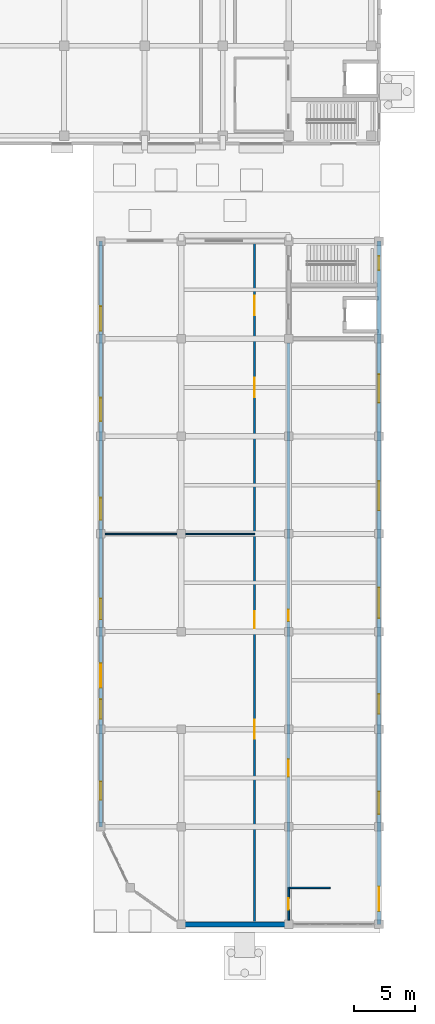
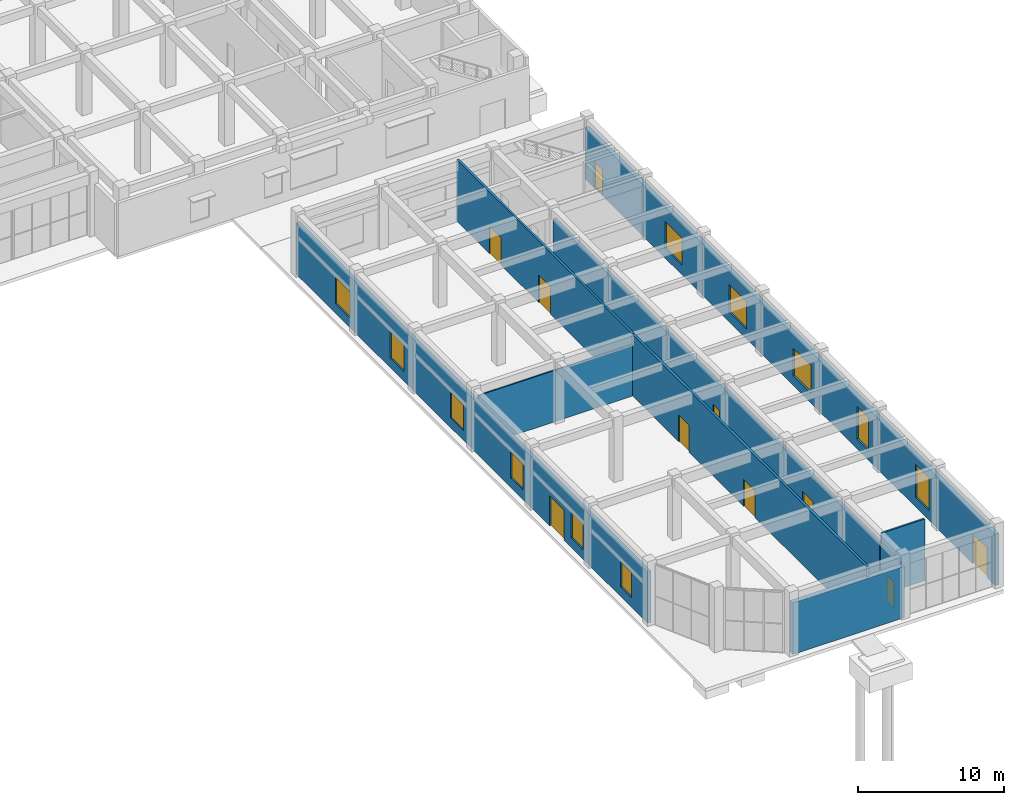
# One storey, part 34 of 46: 11 windows, 10 doors, 9 walls, 21 openings.
"""IFC4 building model written with IfcOpenShell, lengths in metres."""

from ifc_helpers import new_model, si_unit, direction, frame, frame_2d, origin, place, context, subcontext, project, spatial, rectangle, extrude, material, layer, layer_set, type_object, element, fill, save


model = new_model("IFC4")

# Units and contexts
model_context = context("Model", 3, precision=1e-05, world=origin(), true_north=direction((0.0, 1.0)))
body_context = subcontext(model_context, "Body", "Model", "MODEL_VIEW")
ifc_project = project(units=[si_unit("LENGTHUNIT", "METRE"), si_unit("AREAUNIT", "SQUARE_METRE"), si_unit("VOLUMEUNIT", "CUBIC_METRE"), si_unit("PLANEANGLEUNIT", "RADIAN"), si_unit("MASSUNIT", "GRAM", prefix="KILO")], contexts=[model_context])

# Site, building, storey
site_placement = place(None, origin())
site = spatial("IfcSite", under=ifc_project, at=site_placement, CompositionType="ELEMENT")
building_placement = place(site_placement, origin())
building = spatial("IfcBuilding", under=site, at=building_placement, Name="Cinchona Park Media Centre", CompositionType="ELEMENT")
storey_placement = place(building_placement, origin())
storey = spatial("IfcBuildingStorey", under=building, at=storey_placement, Name="L00", CompositionType="ELEMENT", Elevation=0.0)

# Wall, openings, doors
ifc_material_1 = material(Name="Acoustic Double-Stud Gypsum Partition", Category="gypsum")
ifc_layer_1 = layer(ifc_material_1, 0.239990234375)
ifc_layer_set_1 = layer_set([ifc_layer_1], Name="Acoustic Double-Stud Gypsum Partition")
wall_type_1 = type_object("IfcWallType", Name="WALL-W-AC240", PredefinedType="PARTITIONING", material=ifc_layer_set_1)
wall_1_placement = place(storey_placement, frame((164.60009765625, 55.248046875, 0.0), z_axis=(0.0, 0.0, 1.0), x_axis=(0.0, -1.0, 0.0)))
wall_1 = element("IfcWall", 1, at=wall_1_placement, inside=storey, type_object=wall_type_1, Name="Interior Wall W-AC240 L00", PredefinedType="PARTITIONING", context=body_context, shape_type="SweptSolid", body=[
    extrude(rectangle(XDim=44.64794921875, YDim=0.239990234375, at=frame_2d((22.323974609375, 0.0))), origin(), (0.0, 0.0, 1.0), 4.2900390625),
])
opening_1_placement = place(wall_1_placement, frame((21.84912109375, 0.0, 0.0)))
opening_1 = element("IfcOpeningElement", 2, at=opening_1_placement, cuts=wall_1, Name="Opening D213", PredefinedType="OPENING", context=body_context, shape_type="SweptSolid", body=[
    extrude(rectangle(XDim=0.949951171875, YDim=2.10009765625, at=frame_2d((0.47509765625, 1.050048828125))), frame((0.0, 0.1298828125, 0.0), z_axis=(0.0, -1.0, 0.0), x_axis=(1.0, 0.0, 0.0)), (0.0, 0.0, 1.0), 0.260009765625),
])
opening_2_placement = place(wall_1_placement, frame((34.125, 0.0, 0.0)))
opening_2 = element("IfcOpeningElement", 3, at=opening_2_placement, cuts=wall_1, Name="Opening D214", PredefinedType="OPENING", context=body_context, shape_type="SweptSolid", body=[
    extrude(rectangle(XDim=1.39990234375, YDim=2.25, at=frame_2d((0.699951171875, 1.125))), frame((0.0, 0.1298828125, 0.0), z_axis=(0.0, -1.0, 0.0), x_axis=(1.0, 0.0, 0.0)), (0.0, 0.0, 1.0), 0.260009765625),
])
ifc_material_2 = material(Name="Acoustic Double-Seal Steel Door", Category="steel")
door_type_1 = type_object("IfcDoorType", Name="DOOR-DT-AC", OperationType="NOTDEFINED", PredefinedType="DOOR", material=ifc_material_2)
door_1_placement = place(opening_2_placement, origin())
door_1 = element("IfcDoor", 4, at=door_1_placement, inside=storey, type_object=door_type_1, Name="Interior Door D214", OperationType="SINGLE_SWING_RIGHT", OverallHeight=2.25, OverallWidth=1.39990234375, PredefinedType="DOOR", context=body_context, shape_type="SweptSolid", body=[
    extrude(rectangle(XDim=1.39990234375, YDim=2.25, at=frame_2d((0.699951171875, 1.125))), frame((0.0, 0.02490234375, 0.0), z_axis=(0.0, -1.0, 0.0), x_axis=(1.0, 0.0, 0.0)), (0.0, 0.0, 1.0), 0.050048828125),
])
fill(opening_2, door_1)
ifc_material_3 = material(Name="Solid-Core Timber Acoustic Door", Category="wood")
door_type_2 = type_object("IfcDoorType", Name="DOOR-DT02", OperationType="NOTDEFINED", PredefinedType="DOOR", material=ifc_material_3)
door_2_placement = place(opening_1_placement, origin())
door_2 = element("IfcDoor", 5, at=door_2_placement, inside=storey, type_object=door_type_2, Name="Interior Door D213", OperationType="SINGLE_SWING_LEFT", OverallHeight=2.10009765625, OverallWidth=0.949951171875, PredefinedType="DOOR", context=body_context, shape_type="SweptSolid", body=[
    extrude(rectangle(XDim=0.949951171875, YDim=2.10009765625, at=frame_2d((0.47509765625, 1.050048828125))), frame((0.0, 0.02490234375, 0.0), z_axis=(0.0, -1.0, 0.0), x_axis=(1.0, 0.0, 0.0)), (0.0, 0.0, 1.0), 0.050048828125),
])
fill(opening_1, door_2)

# Wall
ifc_material_4 = material(Name="Precast concrete C40/50", Category="concrete")
ifc_layer_2 = layer(ifc_material_4, 0.3798828125)
ifc_layer_set_2 = layer_set([ifc_layer_2], Name="Precast concrete C40/50")
wall_type_2 = type_object("IfcWallType", Name="WALL-W-EX01", PredefinedType="SOLIDWALL", material=ifc_layer_set_2)
wall_2_placement = place(storey_placement, frame((164.60009765625, 7.60009765625, 0.0), z_axis=(0.0, 0.0, 1.0), x_axis=(-1.0, 0.0, 0.0)))
element("IfcWall", 6, at=wall_2_placement, inside=storey, type_object=wall_type_2, Name="Entrance Frame Wall W-EX01 V6 L00", PredefinedType="SOLIDWALL", context=body_context, shape_type="SweptSolid", body=[
    extrude(rectangle(XDim=8.800048828125, YDim=0.3798828125, at=frame_2d((4.39990234375, 0.0))), origin(), (0.0, 0.0, 1.0), 4.2900390625),
])

# Wall, openings, doors, windows
ifc_material_5 = material(Name="Precast concrete C40/50", Category="concrete")
ifc_layer_3 = layer(ifc_material_5, 0.320068359375)
ifc_layer_set_3 = layer_set([ifc_layer_3], Name="Precast concrete C40/50")
wall_type_3 = type_object("IfcWallType", Name="WALL-W-EX02", PredefinedType="SOLIDWALL", material=ifc_layer_set_3)
wall_3_placement = place(storey_placement, frame((172.0, 63.60009765625, 0.0), z_axis=(0.0, 0.0, 1.0), x_axis=(0.0, -1.0, 0.0)))
wall_3 = element("IfcWall", 7, at=wall_3_placement, inside=storey, type_object=wall_type_3, Name="Exterior Wall W-EX02 V6 L00", PredefinedType="SOLIDWALL", context=body_context, shape_type="SweptSolid", body=[
    extrude(rectangle(XDim=56.0, YDim=0.320068359375, at=frame_2d((28.0, 0.0))), origin(), (0.0, 0.0, 1.0), 4.2900390625),
])
opening_3_placement = place(wall_3_placement, frame((1.22509765625, 0.0, 0.0)))
opening_3 = element("IfcOpeningElement", 8, at=opening_3_placement, cuts=wall_3, Name="Opening D007", PredefinedType="OPENING", context=body_context, shape_type="SweptSolid", body=[
    extrude(rectangle(XDim=1.14990234375, YDim=2.199951171875, at=frame_2d((0.574951171875, 1.10009765625))), frame((0.0, 0.169921875, 0.0), z_axis=(0.0, -1.0, 0.0), x_axis=(1.0, 0.0, 0.0)), (0.0, 0.0, 1.0), 0.340087890625),
])
opening_4_placement = place(wall_3_placement, frame((52.89990234375, 0.0, 0.0)))
opening_4 = element("IfcOpeningElement", 9, at=opening_4_placement, cuts=wall_3, Name="Opening D016", PredefinedType="OPENING", context=body_context, shape_type="SweptSolid", body=[
    extrude(rectangle(XDim=2.0, YDim=2.5, at=frame_2d((1.0, 1.25))), frame((0.0, 0.169921875, 0.0), z_axis=(0.0, -1.0, 0.0), x_axis=(1.0, 0.0, 0.0)), (0.0, 0.0, 1.0), 0.340087890625),
])
opening_5_placement = place(wall_3_placement, frame((10.93310546875, 0.0, 0.800048828125)))
opening_5 = element("IfcOpeningElement", 10, at=opening_5_placement, cuts=wall_3, Name="Opening WN10", PredefinedType="OPENING", context=body_context, shape_type="SweptSolid", body=[
    extrude(rectangle(XDim=2.300048828125, YDim=2.25, at=frame_2d((1.14990234375, 1.125))), frame((0.0, 0.169921875, 0.0), z_axis=(0.0, -1.0, 0.0), x_axis=(1.0, 0.0, 0.0)), (0.0, 0.0, 1.0), 0.340087890625),
])
opening_6_placement = place(wall_3_placement, frame((19.6669921875, 0.0, 0.800048828125)))
opening_6 = element("IfcOpeningElement", 11, at=opening_6_placement, cuts=wall_3, Name="Opening WN11", PredefinedType="OPENING", context=body_context, shape_type="SweptSolid", body=[
    extrude(rectangle(XDim=2.39990234375, YDim=2.300048828125, at=frame_2d((1.199951171875, 1.14990234375))), frame((0.0, 0.169921875, 0.0), z_axis=(0.0, -1.0, 0.0), x_axis=(1.0, 0.0, 0.0)), (0.0, 0.0, 1.0), 0.340087890625),
])
opening_7_placement = place(wall_3_placement, frame((28.39990234375, 0.0, 0.800048828125)))
opening_7 = element("IfcOpeningElement", 12, at=opening_7_placement, cuts=wall_3, Name="Opening WN12", PredefinedType="OPENING", context=body_context, shape_type="SweptSolid", body=[
    extrude(rectangle(XDim=2.5, YDim=2.300048828125, at=frame_2d((1.25, 1.14990234375))), frame((0.0, 0.169921875, 0.0), z_axis=(0.0, -1.0, 0.0), x_axis=(1.0, 0.0, 0.0)), (0.0, 0.0, 1.0), 0.340087890625),
])
opening_8_placement = place(wall_3_placement, frame((37.133056640625, 0.0, 0.800048828125)))
opening_8 = element("IfcOpeningElement", 13, at=opening_8_placement, cuts=wall_3, Name="Opening WN37", PredefinedType="OPENING", context=body_context, shape_type="SweptSolid", body=[
    extrude(rectangle(XDim=1.60009765625, YDim=2.75, at=frame_2d((0.800048828125, 1.375))), frame((0.0, 0.169921875, 0.0), z_axis=(0.0, -1.0, 0.0), x_axis=(1.0, 0.0, 0.0)), (0.0, 0.0, 1.0), 0.340087890625),
])
opening_9_placement = place(wall_3_placement, frame((45.116943359375, 0.0, 0.800048828125)))
opening_9 = element("IfcOpeningElement", 14, at=opening_9_placement, cuts=wall_3, Name="Opening WN38", PredefinedType="OPENING", context=body_context, shape_type="SweptSolid", body=[
    extrude(rectangle(XDim=1.85009765625, YDim=2.75, at=frame_2d((0.925048828125, 1.375))), frame((0.0, 0.169921875, 0.0), z_axis=(0.0, -1.0, 0.0), x_axis=(1.0, 0.0, 0.0)), (0.0, 0.0, 1.0), 0.340087890625),
])
ifc_material_6 = material(Name="Insulated Steel and Laminated Glass Door", Category="steel")
door_type_3 = type_object("IfcDoorType", Name="DOOR-DT-EX2", OperationType="NOTDEFINED", PredefinedType="DOOR", material=ifc_material_6)
door_3_placement = place(opening_4_placement, origin())
door_3 = element("IfcDoor", 15, at=door_3_placement, inside=storey, type_object=door_type_3, Name="Exterior Door D016", OperationType="DOUBLE_SWING_LEFT", OverallHeight=2.5, OverallWidth=2.0, PredefinedType="DOOR", context=body_context, shape_type="SweptSolid", body=[
    extrude(rectangle(XDim=2.0, YDim=2.5, at=frame_2d((1.0, 1.25))), frame((0.0, 0.02490234375, 0.0), z_axis=(0.0, -1.0, 0.0), x_axis=(1.0, 0.0, 0.0)), (0.0, 0.0, 1.0), 0.050048828125),
])
fill(opening_4, door_3)
ifc_material_7 = material(Name="Insulated Steel and Laminated Glass Door", Category="steel")
door_type_4 = type_object("IfcDoorType", Name="DOOR-DT-EX3", OperationType="NOTDEFINED", PredefinedType="DOOR", material=ifc_material_7)
door_4_placement = place(opening_3_placement, origin())
door_4 = element("IfcDoor", 16, at=door_4_placement, inside=storey, type_object=door_type_4, Name="Exterior Door D007", OperationType="SINGLE_SWING_LEFT", OverallHeight=2.199951171875, OverallWidth=1.14990234375, PredefinedType="DOOR", context=body_context, shape_type="SweptSolid", body=[
    extrude(rectangle(XDim=1.14990234375, YDim=2.199951171875, at=frame_2d((0.574951171875, 1.10009765625))), frame((0.0, 0.02490234375, 0.0), z_axis=(0.0, -1.0, 0.0), x_axis=(1.0, 0.0, 0.0)), (0.0, 0.0, 1.0), 0.050048828125),
])
fill(opening_3, door_4)
ifc_material_8 = material(Name="Thermally Broken Aluminium Solar-Control Window", Category="aluminium")
window_type_1 = type_object("IfcWindowType", Name="WIN-WN10", PartitioningType="SINGLE_PANEL", PredefinedType="WINDOW", material=ifc_material_8)
window_1_placement = place(opening_5_placement, origin())
window_1 = element("IfcWindow", 17, at=window_1_placement, inside=storey, type_object=window_type_1, Name="Window WN10 L00", OverallHeight=2.25, OverallWidth=2.300048828125, PartitioningType="SINGLE_PANEL", PredefinedType="WINDOW", context=body_context, shape_type="SweptSolid", body=[
    extrude(rectangle(XDim=2.300048828125, YDim=2.25, at=frame_2d((1.14990234375, 1.125))), frame((0.0, 0.030029296875, 0.0), z_axis=(0.0, -1.0, 0.0), x_axis=(1.0, 0.0, 0.0)), (0.0, 0.0, 1.0), 0.06005859375),
])
fill(opening_5, window_1)
ifc_material_9 = material(Name="Thermally Broken Aluminium Solar-Control Window", Category="aluminium")
window_type_2 = type_object("IfcWindowType", Name="WIN-WN11", PartitioningType="SINGLE_PANEL", PredefinedType="WINDOW", material=ifc_material_9)
window_2_placement = place(opening_6_placement, origin())
window_2 = element("IfcWindow", 18, at=window_2_placement, inside=storey, type_object=window_type_2, Name="Window WN11 L00", OverallHeight=2.300048828125, OverallWidth=2.39990234375, PartitioningType="SINGLE_PANEL", PredefinedType="WINDOW", context=body_context, shape_type="SweptSolid", body=[
    extrude(rectangle(XDim=2.39990234375, YDim=2.300048828125, at=frame_2d((1.199951171875, 1.14990234375))), frame((0.0, 0.030029296875, 0.0), z_axis=(0.0, -1.0, 0.0), x_axis=(1.0, 0.0, 0.0)), (0.0, 0.0, 1.0), 0.06005859375),
])
fill(opening_6, window_2)
ifc_material_10 = material(Name="Thermally Broken Aluminium Solar-Control Window", Category="aluminium")
window_type_3 = type_object("IfcWindowType", Name="WIN-WN12", PartitioningType="SINGLE_PANEL", PredefinedType="WINDOW", material=ifc_material_10)
window_3_placement = place(opening_7_placement, origin())
window_3 = element("IfcWindow", 19, at=window_3_placement, inside=storey, type_object=window_type_3, Name="Window WN12 L00", OverallHeight=2.300048828125, OverallWidth=2.5, PartitioningType="SINGLE_PANEL", PredefinedType="WINDOW", context=body_context, shape_type="SweptSolid", body=[
    extrude(rectangle(XDim=2.5, YDim=2.300048828125, at=frame_2d((1.25, 1.14990234375))), frame((0.0, 0.030029296875, 0.0), z_axis=(0.0, -1.0, 0.0), x_axis=(1.0, 0.0, 0.0)), (0.0, 0.0, 1.0), 0.06005859375),
])
fill(opening_7, window_3)
ifc_material_11 = material(Name="Thermally Broken Aluminium Solar-Control Window", Category="aluminium")
window_type_4 = type_object("IfcWindowType", Name="WIN-WN37", PartitioningType="SINGLE_PANEL", PredefinedType="WINDOW", material=ifc_material_11)
window_4_placement = place(opening_8_placement, origin())
window_4 = element("IfcWindow", 20, at=window_4_placement, inside=storey, type_object=window_type_4, Name="Window WN37 L00", OverallHeight=2.75, OverallWidth=1.60009765625, PartitioningType="SINGLE_PANEL", PredefinedType="WINDOW", context=body_context, shape_type="SweptSolid", body=[
    extrude(rectangle(XDim=1.60009765625, YDim=2.75, at=frame_2d((0.800048828125, 1.375))), frame((0.0, 0.030029296875, 0.0), z_axis=(0.0, -1.0, 0.0), x_axis=(1.0, 0.0, 0.0)), (0.0, 0.0, 1.0), 0.06005859375),
])
fill(opening_8, window_4)
ifc_material_12 = material(Name="Thermally Broken Aluminium Solar-Control Window", Category="aluminium")
window_type_5 = type_object("IfcWindowType", Name="WIN-WN38", PartitioningType="SINGLE_PANEL", PredefinedType="WINDOW", material=ifc_material_12)
window_5_placement = place(opening_9_placement, origin())
window_5 = element("IfcWindow", 21, at=window_5_placement, inside=storey, type_object=window_type_5, Name="Window WN38 L00", OverallHeight=2.75, OverallWidth=1.85009765625, PartitioningType="SINGLE_PANEL", PredefinedType="WINDOW", context=body_context, shape_type="SweptSolid", body=[
    extrude(rectangle(XDim=1.85009765625, YDim=2.75, at=frame_2d((0.925048828125, 1.375))), frame((0.0, 0.030029296875, 0.0), z_axis=(0.0, -1.0, 0.0), x_axis=(1.0, 0.0, 0.0)), (0.0, 0.0, 1.0), 0.06005859375),
])
fill(opening_9, window_5)

# Wall, openings, door, windows
ifc_material_13 = material(Name="Precast concrete C40/50", Category="concrete")
ifc_layer_4 = layer(ifc_material_13, 0.27490234375)
ifc_layer_set_4 = layer_set([ifc_layer_4], Name="Precast concrete C40/50")
wall_type_4 = type_object("IfcWallType", Name="WALL-W-EX03", PredefinedType="SOLIDWALL", material=ifc_layer_set_4)
wall_4_placement = place(storey_placement, frame((149.199951171875, 15.60009765625, 0.0), z_axis=(0.0, 0.0, 1.0), x_axis=(0.0, 1.0, 0.0)))
wall_4 = element("IfcWall", 22, at=wall_4_placement, inside=storey, type_object=wall_type_4, Name="Exterior Wall W-EX03 V6 L00", PredefinedType="SOLIDWALL", context=body_context, shape_type="SweptSolid", body=[
    extrude(rectangle(XDim=48.0, YDim=0.27490234375, at=frame_2d((24.0, 0.0))), origin(), (0.0, 0.0, 1.0), 4.2900390625),
])
opening_10_placement = place(wall_4_placement, frame((11.39990234375, 0.0, 0.0)))
opening_10 = element("IfcOpeningElement", 23, at=opening_10_placement, cuts=wall_4, Name="Opening D017", PredefinedType="OPENING", context=body_context, shape_type="SweptSolid", body=[
    extrude(rectangle(XDim=2.0, YDim=2.5, at=frame_2d((1.0, 1.25))), frame((0.0, 0.1474609375, 0.0), z_axis=(0.0, -1.0, 0.0), x_axis=(1.0, 0.0, 0.0)), (0.0, 0.0, 1.0), 0.294921875),
])
opening_11_placement = place(wall_4_placement, frame((2.199951171875, 0.0, 0.800048828125)))
opening_11 = element("IfcOpeningElement", 24, at=opening_11_placement, cuts=wall_4, Name="Opening WN02", PredefinedType="OPENING", context=body_context, shape_type="SweptSolid", body=[
    extrude(rectangle(XDim=1.5, YDim=2.10009765625, at=frame_2d((0.75, 1.050048828125))), frame((0.0, 0.1474609375, 0.0), z_axis=(0.0, -1.0, 0.0), x_axis=(1.0, 0.0, 0.0)), (0.0, 0.0, 1.0), 0.294921875),
])
opening_12_placement = place(wall_4_placement, frame((8.85009765625, 0.0, 0.800048828125)))
opening_12 = element("IfcOpeningElement", 25, at=opening_12_placement, cuts=wall_4, Name="Opening WN03", PredefinedType="OPENING", context=body_context, shape_type="SweptSolid", body=[
    extrude(rectangle(XDim=1.60009765625, YDim=2.10009765625, at=frame_2d((0.800048828125, 1.050048828125))), frame((0.0, 0.1474609375, 0.0), z_axis=(0.0, -1.0, 0.0), x_axis=(1.0, 0.0, 0.0)), (0.0, 0.0, 1.0), 0.294921875),
])
opening_13_placement = place(wall_4_placement, frame((17.0, 0.0, 0.800048828125)))
opening_13 = element("IfcOpeningElement", 26, at=opening_13_placement, cuts=wall_4, Name="Opening WN04", PredefinedType="OPENING", context=body_context, shape_type="SweptSolid", body=[
    extrude(rectangle(XDim=1.699951171875, YDim=2.14990234375, at=frame_2d((0.85009765625, 1.074951171875))), frame((0.0, 0.1474609375, 0.0), z_axis=(0.0, -1.0, 0.0), x_axis=(1.0, 0.0, 0.0)), (0.0, 0.0, 1.0), 0.294921875),
])
opening_14_placement = place(wall_4_placement, frame((25.14990234375, 0.0, 0.800048828125)))
opening_14 = element("IfcOpeningElement", 27, at=opening_14_placement, cuts=wall_4, Name="Opening WN05", PredefinedType="OPENING", context=body_context, shape_type="SweptSolid", body=[
    extrude(rectangle(XDim=1.800048828125, YDim=2.14990234375, at=frame_2d((0.89990234375, 1.074951171875))), frame((0.0, 0.1474609375, 0.0), z_axis=(0.0, -1.0, 0.0), x_axis=(1.0, 0.0, 0.0)), (0.0, 0.0, 1.0), 0.294921875),
])
opening_15_placement = place(wall_4_placement, frame((33.25, 0.0, 0.800048828125)))
opening_15 = element("IfcOpeningElement", 28, at=opening_15_placement, cuts=wall_4, Name="Opening WN06", PredefinedType="OPENING", context=body_context, shape_type="SweptSolid", body=[
    extrude(rectangle(XDim=1.89990234375, YDim=2.199951171875, at=frame_2d((0.949951171875, 1.10009765625))), frame((0.0, 0.1474609375, 0.0), z_axis=(0.0, -1.0, 0.0), x_axis=(1.0, 0.0, 0.0)), (0.0, 0.0, 1.0), 0.294921875),
])
opening_16_placement = place(wall_4_placement, frame((40.64990234375, 0.0, 0.800048828125)))
opening_16 = element("IfcOpeningElement", 29, at=opening_16_placement, cuts=wall_4, Name="Opening WN07", PredefinedType="OPENING", context=body_context, shape_type="SweptSolid", body=[
    extrude(rectangle(XDim=2.0, YDim=2.199951171875, at=frame_2d((1.0, 1.10009765625))), frame((0.0, 0.1474609375, 0.0), z_axis=(0.0, -1.0, 0.0), x_axis=(1.0, 0.0, 0.0)), (0.0, 0.0, 1.0), 0.294921875),
])
door_5_placement = place(opening_10_placement, origin())
door_5 = element("IfcDoor", 30, at=door_5_placement, inside=storey, type_object=door_type_3, Name="Exterior Door D017", OperationType="DOUBLE_SWING_LEFT", OverallHeight=2.5, OverallWidth=2.0, PredefinedType="DOOR", context=body_context, shape_type="SweptSolid", body=[
    extrude(rectangle(XDim=2.0, YDim=2.5, at=frame_2d((1.0, 1.25))), frame((0.0, 0.02490234375, 0.0), z_axis=(0.0, -1.0, 0.0), x_axis=(1.0, 0.0, 0.0)), (0.0, 0.0, 1.0), 0.050048828125),
])
fill(opening_10, door_5)
ifc_material_14 = material(Name="Thermally Broken Aluminium Solar-Control Window", Category="aluminium")
window_type_6 = type_object("IfcWindowType", Name="WIN-WN02", PartitioningType="SINGLE_PANEL", PredefinedType="WINDOW", material=ifc_material_14)
window_6_placement = place(opening_11_placement, origin())
window_6 = element("IfcWindow", 31, at=window_6_placement, inside=storey, type_object=window_type_6, Name="Window WN02 L00", OverallHeight=2.10009765625, OverallWidth=1.5, PartitioningType="SINGLE_PANEL", PredefinedType="WINDOW", context=body_context, shape_type="SweptSolid", body=[
    extrude(rectangle(XDim=1.5, YDim=2.10009765625, at=frame_2d((0.75, 1.050048828125))), frame((0.0, 0.030029296875, 0.0), z_axis=(0.0, -1.0, 0.0), x_axis=(1.0, 0.0, 0.0)), (0.0, 0.0, 1.0), 0.06005859375),
])
fill(opening_11, window_6)
ifc_material_15 = material(Name="Thermally Broken Aluminium Solar-Control Window", Category="aluminium")
window_type_7 = type_object("IfcWindowType", Name="WIN-WN03", PartitioningType="SINGLE_PANEL", PredefinedType="WINDOW", material=ifc_material_15)
window_7_placement = place(opening_12_placement, origin())
window_7 = element("IfcWindow", 32, at=window_7_placement, inside=storey, type_object=window_type_7, Name="Window WN03 L00", OverallHeight=2.10009765625, OverallWidth=1.60009765625, PartitioningType="SINGLE_PANEL", PredefinedType="WINDOW", context=body_context, shape_type="SweptSolid", body=[
    extrude(rectangle(XDim=1.60009765625, YDim=2.10009765625, at=frame_2d((0.800048828125, 1.050048828125))), frame((0.0, 0.030029296875, 0.0), z_axis=(0.0, -1.0, 0.0), x_axis=(1.0, 0.0, 0.0)), (0.0, 0.0, 1.0), 0.06005859375),
])
fill(opening_12, window_7)
ifc_material_16 = material(Name="Thermally Broken Aluminium Solar-Control Window", Category="aluminium")
window_type_8 = type_object("IfcWindowType", Name="WIN-WN04", PartitioningType="SINGLE_PANEL", PredefinedType="WINDOW", material=ifc_material_16)
window_8_placement = place(opening_13_placement, origin())
window_8 = element("IfcWindow", 33, at=window_8_placement, inside=storey, type_object=window_type_8, Name="Window WN04 L00", OverallHeight=2.14990234375, OverallWidth=1.699951171875, PartitioningType="SINGLE_PANEL", PredefinedType="WINDOW", context=body_context, shape_type="SweptSolid", body=[
    extrude(rectangle(XDim=1.699951171875, YDim=2.14990234375, at=frame_2d((0.85009765625, 1.074951171875))), frame((0.0, 0.030029296875, 0.0), z_axis=(0.0, -1.0, 0.0), x_axis=(1.0, 0.0, 0.0)), (0.0, 0.0, 1.0), 0.06005859375),
])
fill(opening_13, window_8)
ifc_material_17 = material(Name="Thermally Broken Aluminium Solar-Control Window", Category="aluminium")
window_type_9 = type_object("IfcWindowType", Name="WIN-WN05", PartitioningType="SINGLE_PANEL", PredefinedType="WINDOW", material=ifc_material_17)
window_9_placement = place(opening_14_placement, origin())
window_9 = element("IfcWindow", 34, at=window_9_placement, inside=storey, type_object=window_type_9, Name="Window WN05 L00", OverallHeight=2.14990234375, OverallWidth=1.800048828125, PartitioningType="SINGLE_PANEL", PredefinedType="WINDOW", context=body_context, shape_type="SweptSolid", body=[
    extrude(rectangle(XDim=1.800048828125, YDim=2.14990234375, at=frame_2d((0.89990234375, 1.074951171875))), frame((0.0, 0.030029296875, 0.0), z_axis=(0.0, -1.0, 0.0), x_axis=(1.0, 0.0, 0.0)), (0.0, 0.0, 1.0), 0.06005859375),
])
fill(opening_14, window_9)
ifc_material_18 = material(Name="Thermally Broken Aluminium Solar-Control Window", Category="aluminium")
window_type_10 = type_object("IfcWindowType", Name="WIN-WN06", PartitioningType="SINGLE_PANEL", PredefinedType="WINDOW", material=ifc_material_18)
window_10_placement = place(opening_15_placement, origin())
window_10 = element("IfcWindow", 35, at=window_10_placement, inside=storey, type_object=window_type_10, Name="Window WN06 L00", OverallHeight=2.199951171875, OverallWidth=1.89990234375, PartitioningType="SINGLE_PANEL", PredefinedType="WINDOW", context=body_context, shape_type="SweptSolid", body=[
    extrude(rectangle(XDim=1.89990234375, YDim=2.199951171875, at=frame_2d((0.949951171875, 1.10009765625))), frame((0.0, 0.030029296875, 0.0), z_axis=(0.0, -1.0, 0.0), x_axis=(1.0, 0.0, 0.0)), (0.0, 0.0, 1.0), 0.06005859375),
])
fill(opening_15, window_10)
ifc_material_19 = material(Name="Thermally Broken Aluminium Solar-Control Window", Category="aluminium")
window_type_11 = type_object("IfcWindowType", Name="WIN-WN07", PartitioningType="SINGLE_PANEL", PredefinedType="WINDOW", material=ifc_material_19)
window_11_placement = place(opening_16_placement, origin())
window_11 = element("IfcWindow", 36, at=window_11_placement, inside=storey, type_object=window_type_11, Name="Window WN07 L00", OverallHeight=2.199951171875, OverallWidth=2.0, PartitioningType="SINGLE_PANEL", PredefinedType="WINDOW", context=body_context, shape_type="SweptSolid", body=[
    extrude(rectangle(XDim=2.0, YDim=2.199951171875, at=frame_2d((1.0, 1.10009765625))), frame((0.0, 0.030029296875, 0.0), z_axis=(0.0, -1.0, 0.0), x_axis=(1.0, 0.0, 0.0)), (0.0, 0.0, 1.0), 0.06005859375),
])
fill(opening_16, window_11)

# Walls
ifc_material_20 = material(Name="Gypsum Metal-Stud Partition", Category="gypsum")
ifc_layer_5 = layer(ifc_material_20, 0.10009765625)
ifc_layer_set_5 = layer_set([ifc_layer_5], Name="Gypsum Metal-Stud Partition")
wall_type_5 = type_object("IfcWallType", Name="WALL-W-PT100", PredefinedType="PARTITIONING", material=ifc_layer_set_5)
wall_5_placement = place(storey_placement, frame((149.552001953125, 39.60009765625, 0.0), z_axis=(0.0, 0.0, 1.0), x_axis=(1.0, 0.0, 0.0)))
element("IfcWall", 37, at=wall_5_placement, inside=storey, type_object=wall_type_5, Name="Interior Wall W-PT100 L00", PredefinedType="PARTITIONING", context=body_context, shape_type="SweptSolid", body=[
    extrude(rectangle(XDim=12.248046875, YDim=0.10009765625, at=frame_2d((6.1240234375, 0.0))), origin(), (0.0, 0.0, 1.0), 4.2900390625),
])
ifc_material_21 = material(Name="Gypsum Metal-Stud Partition", Category="gypsum")
ifc_layer_6 = layer(ifc_material_21, 0.135009765625)
ifc_layer_set_6 = layer_set([ifc_layer_6], Name="Gypsum Metal-Stud Partition")
wall_type_6 = type_object("IfcWallType", Name="WALL-W-PT135", PredefinedType="PARTITIONING", material=ifc_layer_set_6)
wall_6_placement = place(storey_placement, frame((164.60009765625, 10.60009765625, 0.0), z_axis=(0.0, 0.0, 1.0), x_axis=(1.0, 0.0, 0.0)))
element("IfcWall", 38, at=wall_6_placement, inside=storey, type_object=wall_type_6, Name="Interior Wall W-PT135 L00", PredefinedType="PARTITIONING", context=body_context, shape_type="SweptSolid", body=[
    extrude(rectangle(XDim=3.39990234375, YDim=0.135009765625, at=frame_2d((1.699951171875, 0.0))), origin(), (0.0, 0.0, 1.0), 5.139892578125),
])

# Wall, opening, door
ifc_material_22 = material(Name="Fire-Rated Gypsum Stud Partition", Category="gypsum")
ifc_layer_7 = layer(ifc_material_22, 0.14990234375)
ifc_layer_set_7 = layer_set([ifc_layer_7], Name="Fire-Rated Gypsum Stud Partition")
wall_type_7 = type_object("IfcWallType", Name="WALL-W-PT150", PredefinedType="PARTITIONING", material=ifc_layer_set_7)
wall_7_placement = place(storey_placement, frame((164.60009765625, 10.60009765625, 0.0), z_axis=(0.0, 0.0, 1.0), x_axis=(0.0, -1.0, 0.0)))
wall_7 = element("IfcWall", 39, at=wall_7_placement, inside=storey, type_object=wall_type_7, Name="Interior Wall W-PT150 L00", PredefinedType="PARTITIONING", context=body_context, shape_type="SweptSolid", body=[
    extrude(rectangle(XDim=2.648193359375, YDim=0.14990234375, at=frame_2d((1.32421875, 0.0))), origin(), (0.0, 0.0, 1.0), 4.2900390625),
])
opening_17_placement = place(wall_7_placement, frame((0.864013671875, 0.0, 0.0)))
opening_17 = element("IfcOpeningElement", 40, at=opening_17_placement, cuts=wall_7, Name="Opening D212", PredefinedType="OPENING", context=body_context, shape_type="SweptSolid", body=[
    extrude(rectangle(XDim=0.919921875, YDim=2.10009765625, at=frame_2d((0.4599609375, 1.050048828125))), frame((0.0, 0.0849609375, 0.0), z_axis=(0.0, -1.0, 0.0), x_axis=(1.0, 0.0, 0.0)), (0.0, 0.0, 1.0), 0.169921875),
])
ifc_material_23 = material(Name="Solid-Core Timber Acoustic Door", Category="wood")
door_type_5 = type_object("IfcDoorType", Name="DOOR-DT01", OperationType="NOTDEFINED", PredefinedType="DOOR", material=ifc_material_23)
door_6_placement = place(opening_17_placement, origin())
door_6 = element("IfcDoor", 41, at=door_6_placement, inside=storey, type_object=door_type_5, Name="Interior Door D212", OperationType="SINGLE_SWING_RIGHT", OverallHeight=2.10009765625, OverallWidth=0.919921875, PredefinedType="DOOR", context=body_context, shape_type="SweptSolid", body=[
    extrude(rectangle(XDim=0.919921875, YDim=2.10009765625, at=frame_2d((0.4599609375, 1.050048828125))), frame((0.0, 0.02490234375, 0.0), z_axis=(0.0, -1.0, 0.0), x_axis=(1.0, 0.0, 0.0)), (0.0, 0.0, 1.0), 0.050048828125),
])
fill(opening_17, door_6)

# Wall, openings, doors
ifc_material_24 = material(Name="Fire-Rated Gypsum Stud Partition", Category="gypsum")
ifc_layer_8 = layer(ifc_material_24, 0.1650390625)
ifc_layer_set_8 = layer_set([ifc_layer_8], Name="Fire-Rated Gypsum Stud Partition")
wall_type_8 = type_object("IfcWallType", Name="WALL-W-PT165", PredefinedType="PARTITIONING", material=ifc_layer_set_8)
wall_8_placement = place(storey_placement, frame((161.800048828125, 39.60009765625, 0.0), z_axis=(0.0, 0.0, 1.0), x_axis=(0.0, 1.0, 0.0)))
wall_8 = element("IfcWall", 42, at=wall_8_placement, inside=storey, type_object=wall_type_8, Name="Interior Wall W-PT165 L00", PredefinedType="PARTITIONING", context=body_context, shape_type="SweptSolid", body=[
    extrude(rectangle(XDim=24.0, YDim=0.1650390625, at=frame_2d((12.0, 0.0))), origin(), (0.0, 0.0, 1.0), 5.139892578125),
])
opening_18_placement = place(wall_8_placement, frame((11.199951171875, 0.0, 0.0)))
opening_18 = element("IfcOpeningElement", 43, at=opening_18_placement, cuts=wall_8, Name="Opening D210", PredefinedType="OPENING", context=body_context, shape_type="SweptSolid", body=[
    extrude(rectangle(XDim=1.60009765625, YDim=2.300048828125, at=frame_2d((0.800048828125, 1.14990234375))), frame((0.0, 0.092529296875, 0.0), z_axis=(0.0, -1.0, 0.0), x_axis=(1.0, 0.0, 0.0)), (0.0, 0.0, 1.0), 0.18505859375),
])
opening_19_placement = place(wall_8_placement, frame((17.919921875, 0.0, 0.0)))
opening_19 = element("IfcOpeningElement", 44, at=opening_19_placement, cuts=wall_8, Name="Opening D211", PredefinedType="OPENING", context=body_context, shape_type="SweptSolid", body=[
    extrude(rectangle(XDim=1.60009765625, YDim=2.300048828125, at=frame_2d((0.800048828125, 1.14990234375))), frame((0.0, 0.092529296875, 0.0), z_axis=(0.0, -1.0, 0.0), x_axis=(1.0, 0.0, 0.0)), (0.0, 0.0, 1.0), 0.18505859375),
])
ifc_material_25 = material(Name="Solid-Core Timber Acoustic Door", Category="wood")
door_type_6 = type_object("IfcDoorType", Name="DOOR-DT17", OperationType="NOTDEFINED", PredefinedType="DOOR", material=ifc_material_25)
door_7_placement = place(opening_18_placement, origin())
door_7 = element("IfcDoor", 45, at=door_7_placement, inside=storey, type_object=door_type_6, Name="Interior Door D210", OperationType="SINGLE_SWING_RIGHT", OverallHeight=2.300048828125, OverallWidth=1.60009765625, PredefinedType="DOOR", context=body_context, shape_type="SweptSolid", body=[
    extrude(rectangle(XDim=1.60009765625, YDim=2.300048828125, at=frame_2d((0.800048828125, 1.14990234375))), frame((0.0, 0.02490234375, 0.0), z_axis=(0.0, -1.0, 0.0), x_axis=(1.0, 0.0, 0.0)), (0.0, 0.0, 1.0), 0.050048828125),
])
fill(opening_18, door_7)
door_8_placement = place(opening_19_placement, origin())
door_8 = element("IfcDoor", 46, at=door_8_placement, inside=storey, type_object=door_type_6, Name="Interior Door D211", OperationType="SINGLE_SWING_LEFT", OverallHeight=2.300048828125, OverallWidth=1.60009765625, PredefinedType="DOOR", context=body_context, shape_type="SweptSolid", body=[
    extrude(rectangle(XDim=1.60009765625, YDim=2.300048828125, at=frame_2d((0.800048828125, 1.14990234375))), frame((0.0, 0.02490234375, 0.0), z_axis=(0.0, -1.0, 0.0), x_axis=(1.0, 0.0, 0.0)), (0.0, 0.0, 1.0), 0.050048828125),
])
fill(opening_19, door_8)

ifc_material_26 = material(Name="Fire-Rated Gypsum Stud Partition", Category="gypsum")
ifc_layer_9 = layer(ifc_material_26, 0.18994140625)
ifc_layer_set_9 = layer_set([ifc_layer_9], Name="Fire-Rated Gypsum Stud Partition")
wall_type_9 = type_object("IfcWallType", Name="WALL-W-PT190", PredefinedType="PARTITIONING", material=ifc_layer_set_9)
wall_9_placement = place(storey_placement, frame((161.800048828125, 7.60009765625, 0.0), z_axis=(0.0, 0.0, 1.0), x_axis=(0.0, 1.0, 0.0)))
wall_9 = element("IfcWall", 47, at=wall_9_placement, inside=storey, type_object=wall_type_9, Name="Interior Wall W-PT190 L00", PredefinedType="PARTITIONING", context=body_context, shape_type="SweptSolid", body=[
    extrude(rectangle(XDim=32.0, YDim=0.18994140625, at=frame_2d((16.0, 0.0))), origin(), (0.0, 0.0, 1.0), 5.139892578125),
])
opening_20_placement = place(wall_9_placement, frame((15.22509765625, 0.0, 0.0)))
opening_20 = element("IfcOpeningElement", 48, at=opening_20_placement, cuts=wall_9, Name="Opening D208", PredefinedType="OPENING", context=body_context, shape_type="SweptSolid", body=[
    extrude(rectangle(XDim=1.550048828125, YDim=2.25, at=frame_2d((0.77490234375, 1.125))), frame((0.0, 0.10498046875, 0.0), z_axis=(0.0, -1.0, 0.0), x_axis=(1.0, 0.0, 0.0)), (0.0, 0.0, 1.0), 0.2099609375),
])
opening_21_placement = place(wall_9_placement, frame((24.260009765625, 0.0, 0.0)))
opening_21 = element("IfcOpeningElement", 49, at=opening_21_placement, cuts=wall_9, Name="Opening D209", PredefinedType="OPENING", context=body_context, shape_type="SweptSolid", body=[
    extrude(rectangle(XDim=1.39990234375, YDim=2.25, at=frame_2d((0.699951171875, 1.125))), frame((0.0, 0.10498046875, 0.0), z_axis=(0.0, -1.0, 0.0), x_axis=(1.0, 0.0, 0.0)), (0.0, 0.0, 1.0), 0.2099609375),
])
door_9_placement = place(opening_21_placement, origin())
door_9 = element("IfcDoor", 50, at=door_9_placement, inside=storey, type_object=door_type_1, Name="Interior Door D209", OperationType="SINGLE_SWING_LEFT", OverallHeight=2.25, OverallWidth=1.39990234375, PredefinedType="DOOR", context=body_context, shape_type="SweptSolid", body=[
    extrude(rectangle(XDim=1.39990234375, YDim=2.25, at=frame_2d((0.699951171875, 1.125))), frame((0.0, 0.02490234375, 0.0), z_axis=(0.0, -1.0, 0.0), x_axis=(1.0, 0.0, 0.0)), (0.0, 0.0, 1.0), 0.050048828125),
])
fill(opening_21, door_9)
ifc_material_27 = material(Name="Solid-Core Timber Acoustic Door", Category="wood")
door_type_7 = type_object("IfcDoorType", Name="DOOR-DT16", OperationType="NOTDEFINED", PredefinedType="DOOR", material=ifc_material_27)
door_10_placement = place(opening_20_placement, origin())
door_10 = element("IfcDoor", 51, at=door_10_placement, inside=storey, type_object=door_type_7, Name="Interior Door D208", OperationType="SINGLE_SWING_RIGHT", OverallHeight=2.25, OverallWidth=1.550048828125, PredefinedType="DOOR", context=body_context, shape_type="SweptSolid", body=[
    extrude(rectangle(XDim=1.550048828125, YDim=2.25, at=frame_2d((0.77490234375, 1.125))), frame((0.0, 0.02490234375, 0.0), z_axis=(0.0, -1.0, 0.0), x_axis=(1.0, 0.0, 0.0)), (0.0, 0.0, 1.0), 0.050048828125),
])
fill(opening_20, door_10)

save(model, "model.ifc")
